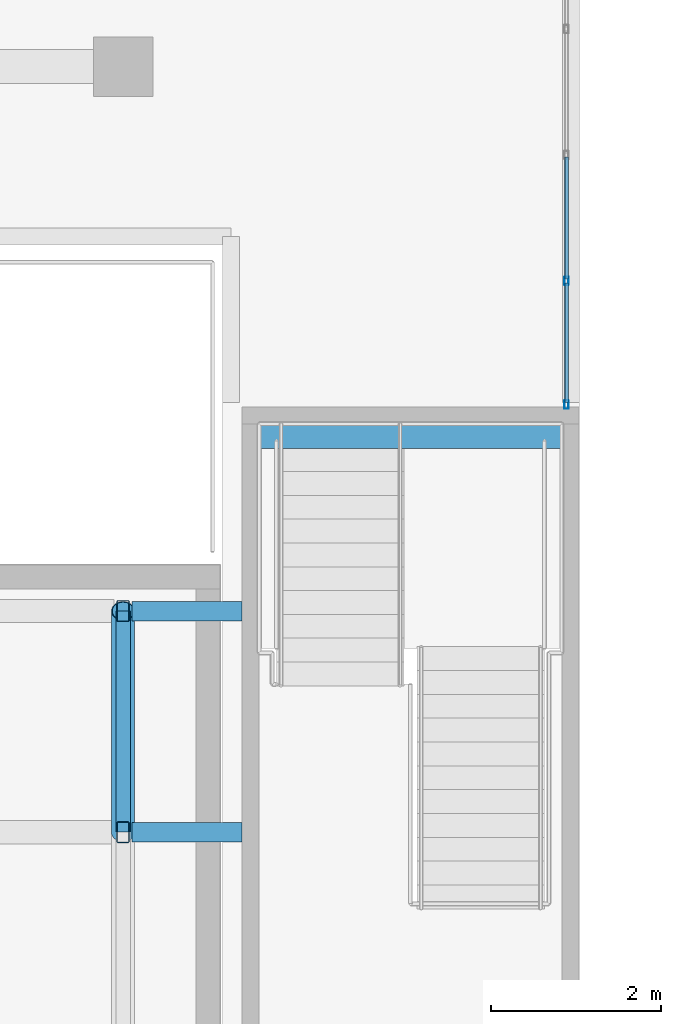
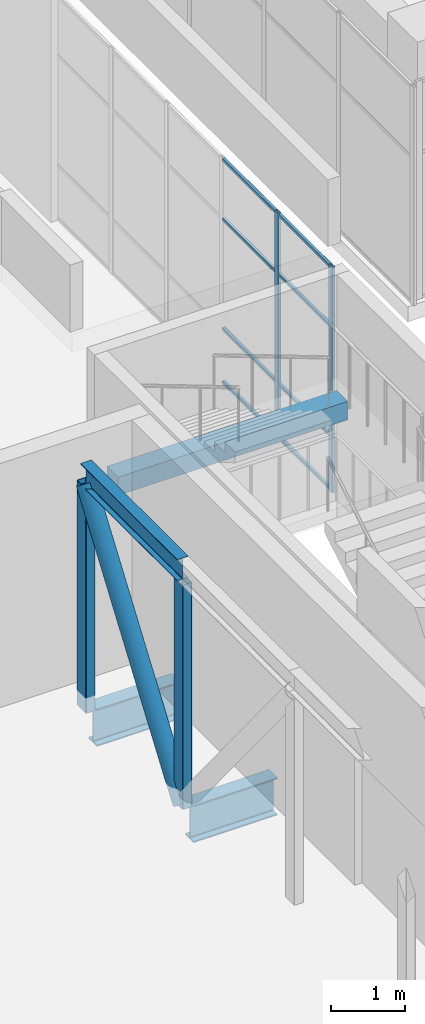
# One storey, part 19 of 72: 14 members, 3 beams, 1 element without a shape of its own.
"""IFC4 building model written with IfcOpenShell, lengths in metres."""

from ifc_helpers import new_model, si_unit, direction, frame, origin, origin_2d, place, context, subcontext, project, spatial, rectangle, hollow_rectangle, hollow_circle, i_section, extrude, material, layer, layer_set, material_profile, profile_set, type_object, element, aggregate, save


model = new_model("IFC4")

# Units and contexts
model_context = context("Model", 3, precision=1e-05, world=origin(), true_north=direction((0.0, 1.0)))
body_context = subcontext(model_context, "Body", "Model", "MODEL_VIEW")
ifc_project = project(units=[si_unit("LENGTHUNIT", "METRE"), si_unit("AREAUNIT", "SQUARE_METRE"), si_unit("VOLUMEUNIT", "CUBIC_METRE"), si_unit("PLANEANGLEUNIT", "RADIAN"), si_unit("MASSUNIT", "GRAM", prefix="KILO")], contexts=[model_context])

# Site, building, storey
site_placement = place(None, origin())
site = spatial("IfcSite", under=ifc_project, at=site_placement, CompositionType="ELEMENT")
building_placement = place(site_placement, origin())
building = spatial("IfcBuilding", under=site, at=building_placement, Name="Tuart Plaza Theatre", CompositionType="ELEMENT")
storey_placement = place(building_placement, frame((0.0, 0.0, 13.5)))
storey = spatial("IfcBuildingStorey", under=building, at=storey_placement, Name="L03", CompositionType="ELEMENT", Elevation=13.5)

# Beams
ifc_material_1 = material(Name="Concrete N40 (40 MPa)", Category="concrete")
ifc_material_profile_1 = material_profile(ifc_material_1, rectangle(XDim=0.300048828125, YDim=0.300048828125, at=origin_2d()), Name="BEAM 300x300 Concrete N40 (40 MPa)")
ifc_profile_set_1 = profile_set([ifc_material_profile_1], Name="Concrete N40 (40 MPa)")
beam_type_1 = type_object("IfcBeamType", Name="BEAM 300x300 Concrete N40 (40 MPa)", PredefinedType="BEAM", material=ifc_profile_set_1)
beam_placement = place(storey_placement, frame((110.159912109375, 51.659912109375, 1.64990234375), z_axis=(-1.0, 0.0, 0.0), x_axis=(0.0, -1.0, 0.0)))
element("IfcBeam", 1, at=beam_placement, inside=storey, type_object=beam_type_1, Name="RB61", PredefinedType="BEAM", context=body_context, shape_type="SweptSolid", body=[
    extrude(rectangle(XDim=0.300048828125, YDim=0.300048828125, at=origin_2d()), origin(), (0.0, 0.0, 1.0), 3.559814453125),
])
ifc_material_2 = material(Name="Steel Grade 300", Category="steel")
ifc_material_profile_2 = material_profile(ifc_material_2, i_section(OverallWidth=0.22900390625, OverallDepth=0.612060546875, WebThickness=0.011962890625, FlangeThickness=0.01953125, FilletRadius=0.013916015625, at=origin_2d()), Name="610UB125")
ifc_profile_set_2 = profile_set([ifc_material_profile_2], Name="Steel Grade 300")
beam_type_2 = type_object("IfcBeamType", Name="BEAM 610UB125", PredefinedType="BEAM", material=ifc_profile_set_2)
for number, where, z_axis, x_axis, name in (
    (2, (105.1044921875, 47.0, -0.555908203125), (1.0, 0.0, 0.0), (0.0, 1.0, 0.0), "SB117"),
    (3, (105.1044921875, 49.60009765625, -0.555908203125), (1.0, 0.0, 0.0), (0.0, 1.0, 0.0), "SB120"),
):
    element("IfcBeam", number, at=place(storey_placement, frame(where, z_axis=z_axis, x_axis=x_axis)), inside=storey, type_object=beam_type_2, Name=name, PredefinedType="BEAM", context=body_context, shape_type="SweptSolid", body=[
        extrude(i_section(OverallWidth=0.22900390625, OverallDepth=0.612060546875, WebThickness=0.011962890625, FlangeThickness=0.01953125, FilletRadius=0.013916015625, at=origin_2d()), origin(), (0.0, 0.0, 1.0), 1.29541015625),
    ])

# Members
ifc_material_3 = material(Name="Steel Grade 300", Category="steel")
ifc_material_profile_3 = material_profile(ifc_material_3, i_section(OverallWidth=0.1708984375, OverallDepth=0.35205078125, WebThickness=0.0068359375, FlangeThickness=0.009765625, FilletRadius=0.011474609375, at=origin_2d()), Name="360UB44.7")
ifc_profile_set_3 = profile_set([ifc_material_profile_3], Name="Steel Grade 300")
member_type_1 = type_object("IfcMemberType", Name="BELT TRUSS Chord 360UB44.7", PredefinedType="CHORD", material=ifc_profile_set_3)
member_1_placement = place(storey_placement, frame((105.0, 47.0, 3.60009765625), z_axis=(0.0, 1.0, 0.0), x_axis=(-1.0, 0.0, 0.0)))
element("IfcMember", 4, at=member_1_placement, inside=storey, type_object=member_type_1, Name="CH65", PredefinedType="CHORD", context=body_context, shape_type="SweptSolid", body=[
    extrude(i_section(OverallWidth=0.1708984375, OverallDepth=0.35205078125, WebThickness=0.0068359375, FlangeThickness=0.009765625, FilletRadius=0.011474609375, at=origin_2d()), origin(), (0.0, 0.0, 1.0), 2.60009765625),
])
ifc_material_4 = material(Name="Steel Grade C350L0", Category="steel")
ifc_material_profile_4 = material_profile(ifc_material_4, hollow_circle(Radius=0.136474609375, WallThickness=0.00927734375, at=origin_2d()), Name="273.1x9.3 CHS")
ifc_profile_set_4 = profile_set([ifc_material_profile_4], Name="Steel Grade C350L0")
member_type_2 = type_object("IfcMemberType", Name="BELT TRUSS Diagonal 273.1x9.3 CHS", PredefinedType="BRACE", material=ifc_profile_set_4)
member_2_placement = place(storey_placement, frame((105.0, 47.0, -0.25341796875), z_axis=(0.0, 0.577308729498, 0.816525952341), x_axis=(-1.0, 0.0, 0.0)))
element("IfcMember", 5, at=member_2_placement, inside=storey, type_object=member_type_2, Name="BR174", PredefinedType="BRACE", context=body_context, shape_type="SweptSolid", body=[
    extrude(hollow_circle(Radius=0.136474609375, WallThickness=0.00927734375, at=origin_2d()), origin(), (0.0, 0.0, 1.0), 4.50390625),
])
ifc_material_5 = material(Name="Steel Grade C350L0", Category="steel")
ifc_material_profile_5 = material_profile(ifc_material_5, hollow_rectangle(XDim=0.14990234375, YDim=0.25, WallThickness=0.009033203125, InnerFilletRadius=0.009033203125, OuterFilletRadius=0.01806640625, at=origin_2d()), Name="250x150x9 RHS")
ifc_profile_set_5 = profile_set([ifc_material_profile_5], Name="Steel Grade C350L0")
member_type_3 = type_object("IfcMemberType", Name="BELT TRUSS Post 250x150x9 RHS", PredefinedType="POST", material=ifc_profile_set_5)
for number, where, z_axis, x_axis, name in (
    (6, (105.0, 47.0, -0.25341796875), (0.0, 0.0, 1.0), (1.0, 0.0, 0.0), "PO237"),
    (7, (105.0, 49.60009765625, -0.25341796875), (0.0, 0.0, 1.0), (1.0, 0.0, 0.0), "PO239"),
):
    element("IfcMember", number, at=place(storey_placement, frame(where, z_axis=z_axis, x_axis=x_axis)), inside=storey, type_object=member_type_3, Name=name, PredefinedType="POST", context=body_context, shape_type="SweptSolid", body=[
        extrude(hollow_rectangle(XDim=0.14990234375, YDim=0.25, WallThickness=0.009033203125, InnerFilletRadius=0.009033203125, OuterFilletRadius=0.01806640625, at=origin_2d()), origin(), (0.0, 0.0, 1.0), 3.677490234375),
    ])

# Curtain wall, members
ifc_material_6 = material(Name="Aluminium and glass", Category="aluminium")
ifc_layer = layer(ifc_material_6, 0.10009765625)
ifc_layer_set = layer_set([ifc_layer], Name="CURTAIN WALL 1500 module")
curtain_wall_type = type_object("IfcCurtainWallType", Name="CURTAIN WALL 1500 module", PredefinedType="NOTDEFINED", material=ifc_layer_set)
curtain_wall_placement = place(storey_placement, origin())
curtain_wall = element("IfcCurtainWall", 8, at=curtain_wall_placement, inside=storey, type_object=curtain_wall_type, Name="CW43", PredefinedType="NOTDEFINED")
ifc_material_7 = material(Name="Aluminium 6063-T5", Category="aluminium")
ifc_material_profile_6 = material_profile(ifc_material_7, hollow_rectangle(XDim=0.050048828125, YDim=0.10009765625, WallThickness=0.00390625, InnerFilletRadius=0.00390625, OuterFilletRadius=0.008056640625, at=origin_2d()), Name="RHS 100x50x4")
ifc_profile_set_6 = profile_set([ifc_material_profile_6], Name="Aluminium 6063-T5")
member_type_4 = type_object("IfcMemberType", Name="MULLION RHS 100x50x4", PredefinedType="MULLION", material=ifc_profile_set_6)
member_3_placement = place(storey_placement, frame((110.212890625, 52.02490234375, 0.0), z_axis=(0.0, 0.0, 1.0), x_axis=(-1.0, 0.0, 0.0)))
member_3 = element("IfcMember", 9, at=member_3_placement, type_object=member_type_4, Name="CW43 mullion 1", PredefinedType="MULLION", context=body_context, shape_type="SweptSolid", body=[
    extrude(hollow_rectangle(XDim=0.050048828125, YDim=0.10009765625, WallThickness=0.00390625, InnerFilletRadius=0.00390625, OuterFilletRadius=0.008056640625, at=origin_2d()), origin(), (0.0, 0.0, 1.0), 3.699951171875),
])
member_4_placement = place(storey_placement, frame((110.212890625, 53.47998046875, 0.0), z_axis=(0.0, 0.0, 1.0), x_axis=(-1.0, 0.0, 0.0)))
member_4 = element("IfcMember", 10, at=member_4_placement, type_object=member_type_4, Name="CW43 mullion 2", PredefinedType="MULLION", context=body_context, shape_type="SweptSolid", body=[
    extrude(hollow_rectangle(XDim=0.050048828125, YDim=0.10009765625, WallThickness=0.00390625, InnerFilletRadius=0.00390625, OuterFilletRadius=0.008056640625, at=origin_2d()), origin(), (0.0, 0.0, 1.0), 3.699951171875),
])
ifc_material_8 = material(Name="Aluminium 6063-T5", Category="aluminium")
ifc_material_profile_7 = material_profile(ifc_material_8, hollow_rectangle(XDim=0.050048828125, YDim=0.050048828125, WallThickness=0.00390625, InnerFilletRadius=0.00390625, OuterFilletRadius=0.008056640625, at=origin_2d()), Name="RHS 50x50x4")
ifc_profile_set_7 = profile_set([ifc_material_profile_7], Name="Aluminium 6063-T5")
member_type_5 = type_object("IfcMemberType", Name="TRANSOM RHS 50x50x4", PredefinedType="USERDEFINED", material=ifc_profile_set_7)
member_5_placement = place(storey_placement, frame((110.212890625, 52.050048828125, 0.02490234375), z_axis=(0.0, 1.0, 0.0), x_axis=(-1.0, 0.0, 0.0)))
member_5 = element("IfcMember", 11, at=member_5_placement, type_object=member_type_5, Name="CW43 transom 1.1", ObjectType="TRANSOM", PredefinedType="USERDEFINED", context=body_context, shape_type="SweptSolid", body=[
    extrude(hollow_rectangle(XDim=0.050048828125, YDim=0.050048828125, WallThickness=0.00390625, InnerFilletRadius=0.00390625, OuterFilletRadius=0.008056640625, at=origin_2d()), origin(), (0.0, 0.0, 1.0), 1.405029296875),
])
member_6_placement = place(storey_placement, frame((110.212890625, 52.050048828125, 0.89990234375), z_axis=(0.0, 1.0, 0.0), x_axis=(-1.0, 0.0, 0.0)))
member_6 = element("IfcMember", 12, at=member_6_placement, type_object=member_type_5, Name="CW43 transom 1.2", ObjectType="TRANSOM", PredefinedType="USERDEFINED", context=body_context, shape_type="SweptSolid", body=[
    extrude(hollow_rectangle(XDim=0.050048828125, YDim=0.050048828125, WallThickness=0.00390625, InnerFilletRadius=0.00390625, OuterFilletRadius=0.008056640625, at=origin_2d()), origin(), (0.0, 0.0, 1.0), 1.405029296875),
])
member_7_placement = place(storey_placement, frame((110.212890625, 52.050048828125, 2.699951171875), z_axis=(0.0, 1.0, 0.0), x_axis=(-1.0, 0.0, 0.0)))
member_7 = element("IfcMember", 13, at=member_7_placement, type_object=member_type_5, Name="CW43 transom 1.3", ObjectType="TRANSOM", PredefinedType="USERDEFINED", context=body_context, shape_type="SweptSolid", body=[
    extrude(hollow_rectangle(XDim=0.050048828125, YDim=0.050048828125, WallThickness=0.00390625, InnerFilletRadius=0.00390625, OuterFilletRadius=0.008056640625, at=origin_2d()), origin(), (0.0, 0.0, 1.0), 1.405029296875),
])
member_8_placement = place(storey_placement, frame((110.212890625, 52.050048828125, 3.675048828125), z_axis=(0.0, 1.0, 0.0), x_axis=(-1.0, 0.0, 0.0)))
member_8 = element("IfcMember", 14, at=member_8_placement, type_object=member_type_5, Name="CW43 transom 1.4", ObjectType="TRANSOM", PredefinedType="USERDEFINED", context=body_context, shape_type="SweptSolid", body=[
    extrude(hollow_rectangle(XDim=0.050048828125, YDim=0.050048828125, WallThickness=0.00390625, InnerFilletRadius=0.00390625, OuterFilletRadius=0.008056640625, at=origin_2d()), origin(), (0.0, 0.0, 1.0), 1.405029296875),
])
member_9_placement = place(storey_placement, frame((110.212890625, 53.5048828125, 0.02490234375), z_axis=(0.0, 1.0, 0.0), x_axis=(-1.0, 0.0, 0.0)))
member_9 = element("IfcMember", 15, at=member_9_placement, type_object=member_type_5, Name="CW43 transom 2.1", ObjectType="TRANSOM", PredefinedType="USERDEFINED", context=body_context, shape_type="SweptSolid", body=[
    extrude(hollow_rectangle(XDim=0.050048828125, YDim=0.050048828125, WallThickness=0.00390625, InnerFilletRadius=0.00390625, OuterFilletRadius=0.008056640625, at=origin_2d()), origin(), (0.0, 0.0, 1.0), 1.43017578125),
])
member_10_placement = place(storey_placement, frame((110.212890625, 53.5048828125, 0.89990234375), z_axis=(0.0, 1.0, 0.0), x_axis=(-1.0, 0.0, 0.0)))
member_10 = element("IfcMember", 16, at=member_10_placement, type_object=member_type_5, Name="CW43 transom 2.2", ObjectType="TRANSOM", PredefinedType="USERDEFINED", context=body_context, shape_type="SweptSolid", body=[
    extrude(hollow_rectangle(XDim=0.050048828125, YDim=0.050048828125, WallThickness=0.00390625, InnerFilletRadius=0.00390625, OuterFilletRadius=0.008056640625, at=origin_2d()), origin(), (0.0, 0.0, 1.0), 1.43017578125),
])
member_11_placement = place(storey_placement, frame((110.212890625, 53.5048828125, 2.699951171875), z_axis=(0.0, 1.0, 0.0), x_axis=(-1.0, 0.0, 0.0)))
member_11 = element("IfcMember", 17, at=member_11_placement, type_object=member_type_5, Name="CW43 transom 2.3", ObjectType="TRANSOM", PredefinedType="USERDEFINED", context=body_context, shape_type="SweptSolid", body=[
    extrude(hollow_rectangle(XDim=0.050048828125, YDim=0.050048828125, WallThickness=0.00390625, InnerFilletRadius=0.00390625, OuterFilletRadius=0.008056640625, at=origin_2d()), origin(), (0.0, 0.0, 1.0), 1.43017578125),
])
member_12_placement = place(storey_placement, frame((110.212890625, 53.5048828125, 3.675048828125), z_axis=(0.0, 1.0, 0.0), x_axis=(-1.0, 0.0, 0.0)))
member_12 = element("IfcMember", 18, at=member_12_placement, type_object=member_type_5, Name="CW43 transom 2.4", ObjectType="TRANSOM", PredefinedType="USERDEFINED", context=body_context, shape_type="SweptSolid", body=[
    extrude(hollow_rectangle(XDim=0.050048828125, YDim=0.050048828125, WallThickness=0.00390625, InnerFilletRadius=0.00390625, OuterFilletRadius=0.008056640625, at=origin_2d()), origin(), (0.0, 0.0, 1.0), 1.43017578125),
])
aggregate(curtain_wall, [member_3, member_4, member_5, member_6, member_7, member_8, member_9, member_10, member_11, member_12])

save(model, "model.ifc")
